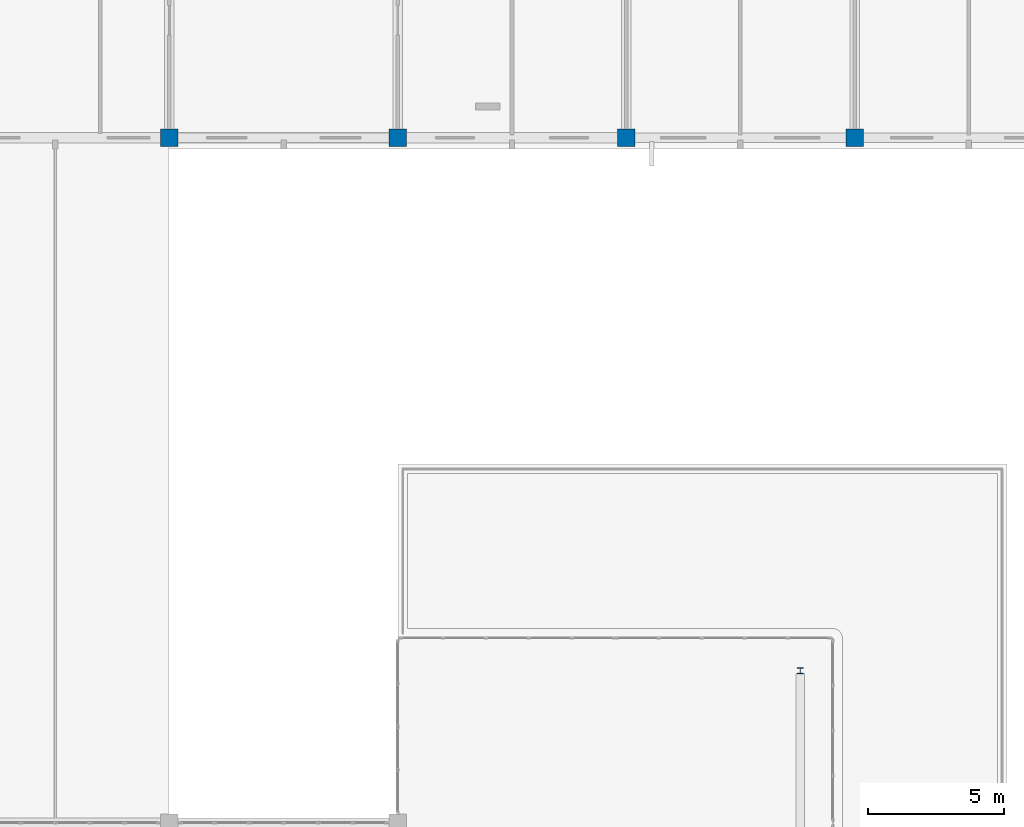
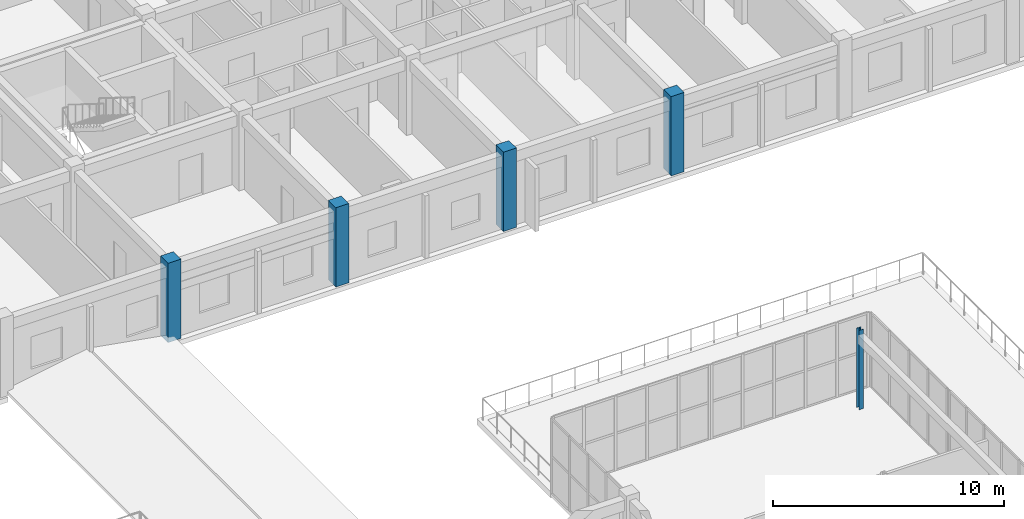
# One storey, part 8 of 90: 5 columns.
"""IFC4 building model written with IfcOpenShell, lengths in metres."""

from ifc_helpers import new_model, si_unit, direction, frame, origin, origin_2d, place, context, subcontext, project, spatial, rectangle, i_section, extrude, material, material_profile, profile_set, type_object, element, save


model = new_model("IFC4")

# Units and contexts
model_context = context("Model", 3, precision=1e-05, world=origin(), true_north=direction((0.0, 1.0)))
body_context = subcontext(model_context, "Body", "Model", "MODEL_VIEW")
ifc_project = project(units=[si_unit("LENGTHUNIT", "METRE"), si_unit("AREAUNIT", "SQUARE_METRE"), si_unit("VOLUMEUNIT", "CUBIC_METRE"), si_unit("PLANEANGLEUNIT", "RADIAN"), si_unit("MASSUNIT", "GRAM", prefix="KILO")], contexts=[model_context])

# Site, building, storey
site_placement = place(None, origin())
site = spatial("IfcSite", under=ifc_project, at=site_placement, CompositionType="ELEMENT")
building_placement = place(site_placement, origin())
building = spatial("IfcBuilding", under=site, at=building_placement, Name="Trelvath General Hospital", CompositionType="ELEMENT")
storey_placement = place(building_placement, frame((0.0, 0.0, 20.39990234375)))
storey = spatial("IfcBuildingStorey", under=building, at=storey_placement, Name="L05", CompositionType="ELEMENT", Elevation=20.39990234375)

# Columns
ifc_material_1 = material(Name="Concrete C40/50", Category="concrete")
ifc_material_profile_1 = material_profile(ifc_material_1, rectangle(XDim=0.64990234375, YDim=0.64990234375, at=origin_2d()), Name="RC650x650")
ifc_profile_set_1 = profile_set([ifc_material_profile_1], Name="Concrete C40/50")
column_type_1 = type_object("IfcColumnType", Name="Column RC650", PredefinedType="COLUMN", material=ifc_profile_set_1)
for number, where, z_axis, x_axis, name in (
    (1, (84.0, 92.39990234375, 0.0), (0.0, 0.0, 1.0), (1.0, 0.0, 0.0), "Column C-11L L05"),
    (2, (92.39990234375, 92.39990234375, 0.0), (0.0, 0.0, 1.0), (1.0, 0.0, 0.0), "Column C-12L L05"),
    (3, (100.800048828125, 92.39990234375, 0.0), (0.0, 0.0, 1.0), (1.0, 0.0, 0.0), "Column C-13L L05"),
    (4, (109.199951171875, 92.39990234375, 0.0), (0.0, 0.0, 1.0), (1.0, 0.0, 0.0), "Column C-14L L05"),
):
    element("IfcColumn", number, at=place(storey_placement, frame(where, z_axis=z_axis, x_axis=x_axis)), inside=storey, type_object=column_type_1, Name=name, PredefinedType="COLUMN", context=body_context, shape_type="SweptSolid", body=[
        extrude(rectangle(XDim=0.64990234375, YDim=0.64990234375, at=origin_2d()), origin(), (0.0, 0.0, 1.0), 4.2001953125),
    ])
ifc_material_2 = material(Name="Steel S355", Category="steel")
ifc_material_profile_2 = material_profile(ifc_material_2, i_section(OverallWidth=0.219970703125, OverallDepth=0.219970703125, WebThickness=0.009521484375, FlangeThickness=0.01611328125, at=origin_2d()), Name="HEB220")
ifc_profile_set_2 = profile_set([ifc_material_profile_2], Name="Steel S355")
column_type_2 = type_object("IfcColumnType", Name="CubePost HEB220", PredefinedType="COLUMN", material=ifc_profile_set_2)
column_placement = place(storey_placement, frame((107.199951171875, 72.800048828125, 0.0), z_axis=(0.0, 0.0, 1.0), x_axis=(1.0, 0.0, 0.0)))
element("IfcColumn", 5, at=column_placement, inside=storey, type_object=column_type_2, Name="Cube Interior Column CC-E03 L05", PredefinedType="COLUMN", context=body_context, shape_type="SweptSolid", body=[
    extrude(i_section(OverallWidth=0.219970703125, OverallDepth=0.219970703125, WebThickness=0.009521484375, FlangeThickness=0.01611328125, at=origin_2d()), origin(), (0.0, 0.0, 1.0), 4.2001953125),
])

save(model, "model.ifc")
